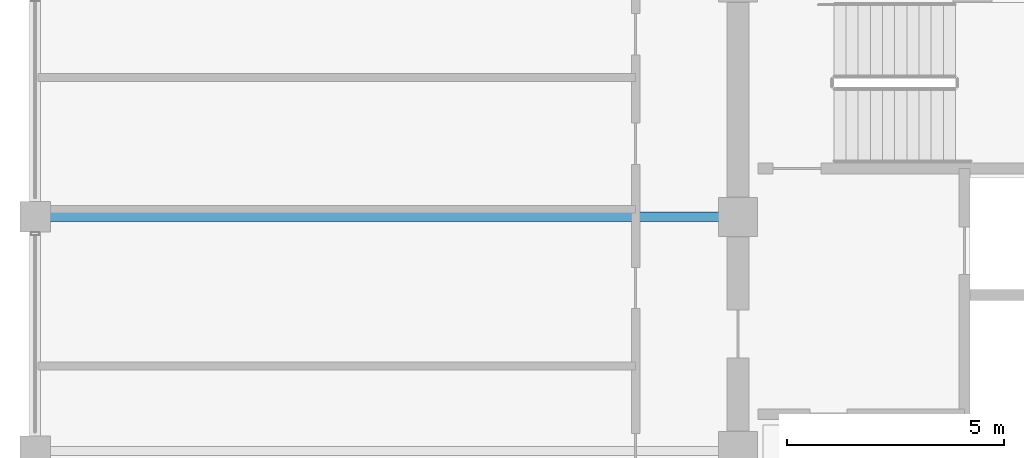
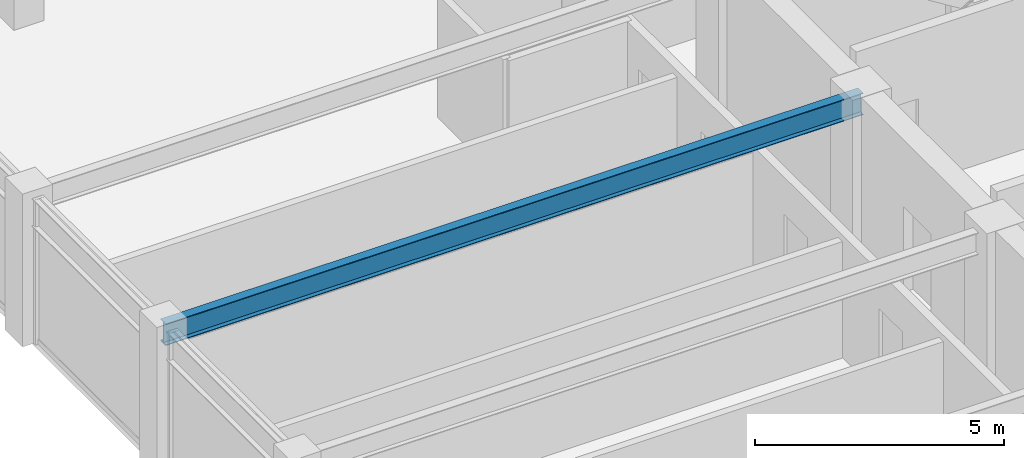
# One storey, part 11 of 30: 1 beam.
"""IFC4 building model written with IfcOpenShell, lengths in metres."""

from ifc_helpers import new_model, si_unit, direction, frame, origin, origin_2d, place, context, subcontext, project, spatial, i_section, extrude, material, material_profile, profile_set, type_object, element, save


model = new_model("IFC4")

# Units and contexts
model_context = context("Model", 3, precision=1e-05, world=origin(), true_north=direction((0.0, 1.0)))
body_context = subcontext(model_context, "Body", "Model", "MODEL_VIEW")
ifc_project = project(units=[si_unit("LENGTHUNIT", "METRE"), si_unit("AREAUNIT", "SQUARE_METRE"), si_unit("VOLUMEUNIT", "CUBIC_METRE"), si_unit("PLANEANGLEUNIT", "RADIAN"), si_unit("MASSUNIT", "GRAM", prefix="KILO")], contexts=[model_context])

# Site, building, storey
site_placement = place(None, origin())
site = spatial("IfcSite", under=ifc_project, at=site_placement, CompositionType="ELEMENT")
building_placement = place(site_placement, origin())
building = spatial("IfcBuilding", under=site, at=building_placement, Name="Surkhivell Harbour Commons", CompositionType="ELEMENT")
storey_placement = place(building_placement, frame((0.0, 0.0, 296.25)))
storey = spatial("IfcBuildingStorey", under=building, at=storey_placement, Name="L77", CompositionType="ELEMENT", Elevation=296.25)

# Beam
ifc_material = material(Name="Steel S355", Category="steel")
ifc_material_profile = material_profile(ifc_material, i_section(OverallWidth=0.2099609375, OverallDepth=0.537109375, WebThickness=0.0107421875, FlangeThickness=0.017333984375, at=origin_2d()), Name="UB533x210x101")
ifc_profile_set = profile_set([ifc_material_profile], Name="Steel S355")
beam_type = type_object("IfcBeamType", Name="BM-GRD-533B", PredefinedType="BEAM", material=ifc_profile_set)
beam_placement = place(storey_placement, frame((-27.0, 5.39990234375, 3.301513671875), z_axis=(1.0, 0.0, 0.0), x_axis=(0.0, 1.0, 0.0)))
element("IfcBeam", 1, at=beam_placement, inside=storey, type_object=beam_type, Name="L77 Floor Girder (-27.0,5.4)", PredefinedType="BEAM", context=body_context, shape_type="SweptSolid", body=[
    extrude(i_section(OverallWidth=0.2099609375, OverallDepth=0.537109375, WebThickness=0.0107421875, FlangeThickness=0.017333984375, at=origin_2d()), origin(), (0.0, 0.0, 1.0), 16.199951171875),
])

save(model, "model.ifc")
